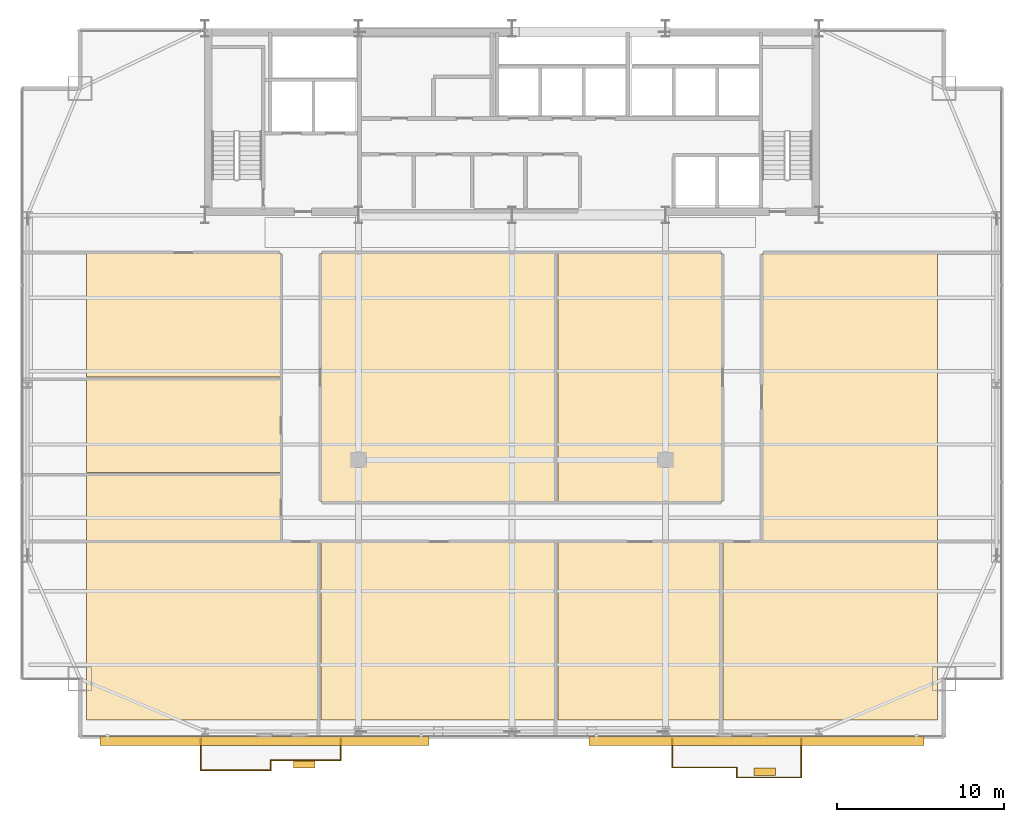
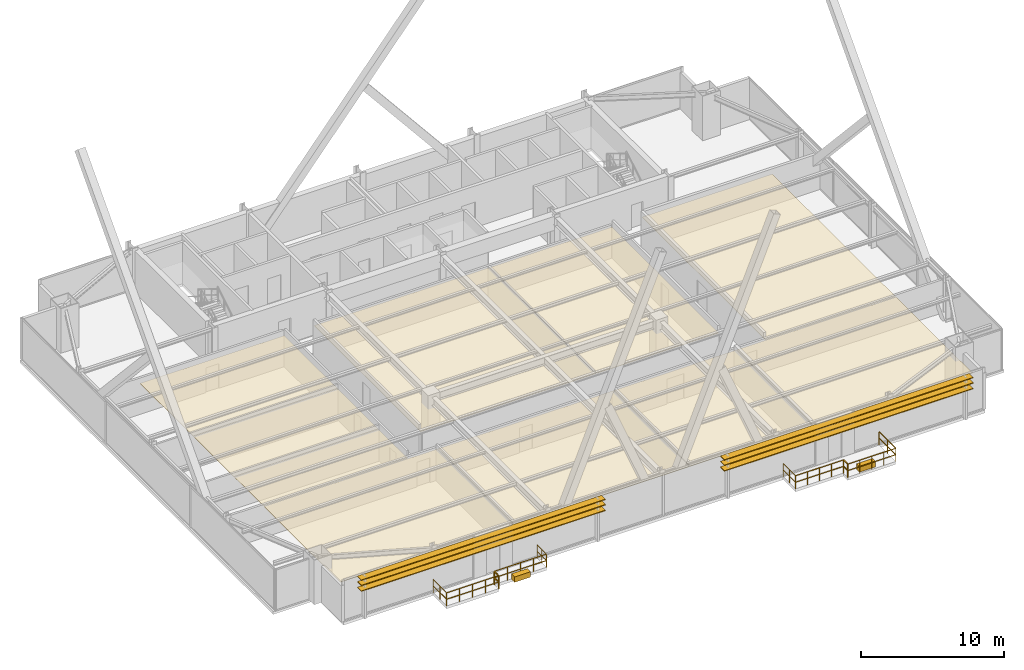
# One storey, part 37 of 38: 12 coverings, 10 railings, 6 shading devices.
"""IFC4 building model written with IfcOpenShell, lengths in metres."""

from ifc_helpers import new_model, si_unit, direction, frame, origin, origin_2d, place, context, subcontext, project, spatial, polyline, rectangle, outline, extrude, source, transform, mapped, material, layer, layer_set, type_object, type_shapes, element, save


model = new_model("IFC4")

# Units and contexts
model_context = context("Model", 3, precision=1e-05, world=origin(), true_north=direction((0.0, 1.0)))
body_context = subcontext(model_context, "Body", "Model", "MODEL_VIEW")
ifc_project = project(units=[si_unit("LENGTHUNIT", "METRE"), si_unit("AREAUNIT", "SQUARE_METRE"), si_unit("VOLUMEUNIT", "CUBIC_METRE"), si_unit("PLANEANGLEUNIT", "RADIAN"), si_unit("MASSUNIT", "GRAM", prefix="KILO")], contexts=[model_context])

# Site, building, storey
site_placement = place(None, origin())
site = spatial("IfcSite", under=ifc_project, at=site_placement, CompositionType="ELEMENT")
building_placement = place(site_placement, origin())
building = spatial("IfcBuilding", under=site, at=building_placement, Name="Varnel Quay Broadcast Tower", CompositionType="ELEMENT")
storey_placement = place(building_placement, frame((0.0, 0.0, 118.199951171875)))
storey = spatial("IfcBuildingStorey", under=building, at=storey_placement, Name="L28", CompositionType="ELEMENT", Elevation=118.199951171875)

# Coverings
ifc_material_1 = material(Name="Micro-Perforated Acoustic Ceiling Tile")
ifc_layer_1 = layer(ifc_material_1, 0.0400390625, Name="Micro-Perforated Acoustic Ceiling Tile")
ifc_layer_set_1 = layer_set([ifc_layer_1], Name="Micro-Perforated Acoustic Ceiling Tile")
covering_type_1 = type_object("IfcCoveringType", Name="Cov_AcousticCeiling", PredefinedType="CEILING", material=ifc_layer_set_1)
covering_1_placement = place(storey_placement, frame((0.0, 0.0, 2.580078125)))
element("IfcCovering", 1, at=covering_1_placement, inside=storey, type_object=covering_type_1, Name="L28 Press Briefing Room 1 Acoustic Ceiling", PredefinedType="CEILING", context=body_context, shape_type="SweptSolid", body=[
    extrude(outline(polyline([(8.485107421875, 5.324951171875), (22.47509765625, 5.324951171875), (22.47509765625, 15.985107421875), (8.485107421875, 15.985107421875), (8.485107421875, 5.324951171875)])), origin(), (0.0, 0.0, 1.0), 0.0400390625),
])
covering_2_placement = place(storey_placement, frame((0.0, 0.0, 2.580078125)))
element("IfcCovering", 2, at=covering_2_placement, inside=storey, type_object=covering_type_1, Name="L28 Editorial Huddle Room 2 Acoustic Ceiling", PredefinedType="CEILING", context=body_context, shape_type="SweptSolid", body=[
    extrude(outline(polyline([(22.544921875, 5.324951171875), (36.68505859375, 5.324951171875), (36.68505859375, 15.985107421875), (22.544921875, 15.985107421875), (22.544921875, 5.324951171875)])), origin(), (0.0, 0.0, 1.0), 0.0400390625),
])
covering_3_placement = place(storey_placement, frame((0.0, 0.0, 2.580078125)))
element("IfcCovering", 3, at=covering_3_placement, inside=storey, type_object=covering_type_1, Name="L28 Journalism Training Studio 3 Acoustic Ceiling", PredefinedType="CEILING", context=body_context, shape_type="SweptSolid", body=[
    extrude(outline(polyline([(36.7548828125, 5.324951171875), (46.594970703125, 5.324951171875), (46.594970703125, 15.985107421875), (36.7548828125, 15.985107421875), (36.7548828125, 5.324951171875)])), origin(), (0.0, 0.0, 1.0), 0.0400390625),
])
covering_4_placement = place(storey_placement, frame((0.0, 0.0, 2.580078125)))
element("IfcCovering", 4, at=covering_4_placement, inside=storey, type_object=covering_type_1, Name="L28 Catering Kitchen 4 Acoustic Ceiling", PredefinedType="CEILING", context=body_context, shape_type="SweptSolid", body=[
    extrude(outline(polyline([(46.6650390625, 5.324951171875), (59.514892578125, 5.324951171875), (59.514892578125, 15.985107421875), (46.6650390625, 15.985107421875), (46.6650390625, 5.324951171875)])), origin(), (0.0, 0.0, 1.0), 0.0400390625),
])
covering_5_placement = place(storey_placement, frame((0.0, 0.0, 2.580078125)))
element("IfcCovering", 5, at=covering_5_placement, inside=storey, type_object=covering_type_1, Name="L28 Bureau Office 5 Acoustic Ceiling", PredefinedType="CEILING", context=body_context, shape_type="SweptSolid", body=[
    extrude(outline(polyline([(8.485107421875, 16.054931640625), (20.125, 16.054931640625), (20.125, 20.10498046875), (8.485107421875, 20.10498046875), (8.485107421875, 16.054931640625)])), origin(), (0.0, 0.0, 1.0), 0.0400390625),
])
covering_6_placement = place(storey_placement, frame((0.0, 0.0, 2.580078125)))
element("IfcCovering", 6, at=covering_6_placement, inside=storey, type_object=covering_type_1, Name="L28 Reading Lounge 6 Acoustic Ceiling", PredefinedType="CEILING", context=body_context, shape_type="SweptSolid", body=[
    extrude(outline(polyline([(8.485107421875, 20.175048828125), (20.125, 20.175048828125), (20.125, 25.81494140625), (8.485107421875, 25.81494140625), (8.485107421875, 20.175048828125)])), origin(), (0.0, 0.0, 1.0), 0.0400390625),
])
covering_7_placement = place(storey_placement, frame((0.0, 0.0, 2.580078125)))
element("IfcCovering", 7, at=covering_7_placement, inside=storey, type_object=covering_type_1, Name="L28 Broadcast Seminar Room 7 Acoustic Ceiling", PredefinedType="CEILING", context=body_context, shape_type="SweptSolid", body=[
    extrude(outline(polyline([(8.485107421875, 25.885009765625), (20.125, 25.885009765625), (20.125, 33.31494140625), (8.485107421875, 33.31494140625), (8.485107421875, 25.885009765625)])), origin(), (0.0, 0.0, 1.0), 0.0400390625),
])
covering_8_placement = place(storey_placement, frame((0.0, 0.0, 2.580078125)))
element("IfcCovering", 8, at=covering_8_placement, inside=storey, type_object=covering_type_1, Name="L28 Press Briefing Room 8 Acoustic Ceiling", PredefinedType="CEILING", context=body_context, shape_type="SweptSolid", body=[
    extrude(outline(polyline([(22.544921875, 18.405029296875), (36.68505859375, 18.405029296875), (36.68505859375, 33.31494140625), (22.544921875, 33.31494140625), (22.544921875, 18.405029296875)])), origin(), (0.0, 0.0, 1.0), 0.0400390625),
])
covering_9_placement = place(storey_placement, frame((0.0, 0.0, 2.580078125)))
element("IfcCovering", 9, at=covering_9_placement, inside=storey, type_object=covering_type_1, Name="L28 Editorial Huddle Room 9 Acoustic Ceiling", PredefinedType="CEILING", context=body_context, shape_type="SweptSolid", body=[
    extrude(outline(polyline([(36.7548828125, 18.405029296875), (46.594970703125, 18.405029296875), (46.594970703125, 33.31494140625), (36.7548828125, 33.31494140625), (36.7548828125, 18.405029296875)])), origin(), (0.0, 0.0, 1.0), 0.0400390625),
])
covering_10_placement = place(storey_placement, frame((0.0, 0.0, 2.580078125)))
element("IfcCovering", 10, at=covering_10_placement, inside=storey, type_object=covering_type_1, Name="L28 Journalism Training Studio 10 Acoustic Ceiling", PredefinedType="CEILING", context=body_context, shape_type="SweptSolid", body=[
    extrude(outline(polyline([(49.014892578125, 16.054931640625), (59.514892578125, 16.054931640625), (59.514892578125, 33.31494140625), (49.014892578125, 33.31494140625), (49.014892578125, 16.054931640625)])), origin(), (0.0, 0.0, 1.0), 0.0400390625),
])

# Railings
ifc_material_2 = material(Name="Anodised Bronze Aluminium 6063-T6", Category="aluminium")
railing_type = type_object("IfcRailingType", Name="Rail_Balustrade1150", PredefinedType="BALUSTRADE", material=ifc_material_2)
railing_1_placement = place(storey_placement, frame((15.340087890625, 2.321044921875, 0.0)))
element("IfcRailing", 11, at=railing_1_placement, inside=storey, type_object=railing_type, Name="L28 Terrace 1 Guard 1", PredefinedType="BALUSTRADE", context=body_context, shape_type="SweptSolid", body=[
    extrude(rectangle(XDim=0.048095703125, YDim=0.048095703125, at=origin_2d()), frame((0.0, 0.0, 1.1259765625), z_axis=(1.0, 0.0, 0.0), x_axis=(0.0, 1.0, 0.0)), (0.0, 0.0, 1.0), 4.199951171875),
    extrude(rectangle(XDim=0.048095703125, YDim=0.048095703125, at=origin_2d()), frame((0.0, 0.0, 0.574951171875), z_axis=(1.0, 0.0, 0.0), x_axis=(0.0, 1.0, 0.0)), (0.0, 0.0, 1.0), 4.199951171875),
    extrude(rectangle(XDim=0.0419921875, YDim=0.0419921875, at=origin_2d()), origin(), (0.0, 0.0, 1.0), 1.101806640625),
    extrude(rectangle(XDim=0.0419921875, YDim=0.0419921875, at=origin_2d()), frame((1.050048828125, 0.0, 0.0)), (0.0, 0.0, 1.0), 1.101806640625),
    extrude(rectangle(XDim=0.0419921875, YDim=0.0419921875, at=origin_2d()), frame((2.10009765625, 0.0, 0.0)), (0.0, 0.0, 1.0), 1.101806640625),
    extrude(rectangle(XDim=0.0419921875, YDim=0.0419921875, at=origin_2d()), frame((3.14990234375, 0.0, 0.0)), (0.0, 0.0, 1.0), 1.101806640625),
    extrude(rectangle(XDim=0.0419921875, YDim=0.0419921875, at=origin_2d()), frame((4.199951171875, 0.0, 0.0)), (0.0, 0.0, 1.0), 1.101806640625),
])
railing_2_placement = place(storey_placement, frame((19.5400390625, 2.321044921875, 0.0)))
element("IfcRailing", 12, at=railing_2_placement, inside=storey, type_object=railing_type, Name="L28 Terrace 1 Guard 2", PredefinedType="BALUSTRADE", context=body_context, shape_type="SweptSolid", body=[
    extrude(rectangle(XDim=0.048095703125, YDim=0.048095703125, at=origin_2d()), frame((0.0, 0.0, 1.1259765625), z_axis=(0.0, 1.0, 0.0), x_axis=(-1.0, 0.0, 0.0)), (0.0, 0.0, 1.0), 0.599853515625),
    extrude(rectangle(XDim=0.048095703125, YDim=0.048095703125, at=origin_2d()), frame((0.0, 0.0, 0.574951171875), z_axis=(0.0, 1.0, 0.0), x_axis=(-1.0, 0.0, 0.0)), (0.0, 0.0, 1.0), 0.599853515625),
    extrude(rectangle(XDim=0.0419921875, YDim=0.0419921875, at=origin_2d()), origin(), (0.0, 0.0, 1.0), 1.101806640625),
    extrude(rectangle(XDim=0.0419921875, YDim=0.0419921875, at=origin_2d()), frame((0.0, 0.599853515625, 0.0)), (0.0, 0.0, 1.0), 1.101806640625),
])
railing_3_placement = place(storey_placement, frame((19.5400390625, 2.9208984375, 0.0)))
element("IfcRailing", 13, at=railing_3_placement, inside=storey, type_object=railing_type, Name="L28 Terrace 1 Guard 3", PredefinedType="BALUSTRADE", context=body_context, shape_type="SweptSolid", body=[
    extrude(rectangle(XDim=0.048095703125, YDim=0.048095703125, at=origin_2d()), frame((0.0, 0.0, 1.1259765625), z_axis=(1.0, 0.0, 0.0), x_axis=(0.0, 1.0, 0.0)), (0.0, 0.0, 1.0), 4.199951171875),
    extrude(rectangle(XDim=0.048095703125, YDim=0.048095703125, at=origin_2d()), frame((0.0, 0.0, 0.574951171875), z_axis=(1.0, 0.0, 0.0), x_axis=(0.0, 1.0, 0.0)), (0.0, 0.0, 1.0), 4.199951171875),
    extrude(rectangle(XDim=0.0419921875, YDim=0.0419921875, at=origin_2d()), origin(), (0.0, 0.0, 1.0), 1.101806640625),
    extrude(rectangle(XDim=0.0419921875, YDim=0.0419921875, at=origin_2d()), frame((1.050048828125, 0.0, 0.0)), (0.0, 0.0, 1.0), 1.101806640625),
    extrude(rectangle(XDim=0.0419921875, YDim=0.0419921875, at=origin_2d()), frame((2.10009765625, 0.0, 0.0)), (0.0, 0.0, 1.0), 1.101806640625),
    extrude(rectangle(XDim=0.0419921875, YDim=0.0419921875, at=origin_2d()), frame((3.14990234375, 0.0, 0.0)), (0.0, 0.0, 1.0), 1.101806640625),
    extrude(rectangle(XDim=0.0419921875, YDim=0.0419921875, at=origin_2d()), frame((4.199951171875, 0.0, 0.0)), (0.0, 0.0, 1.0), 1.101806640625),
])
railing_4_placement = place(storey_placement, frame((23.739990234375, 2.9208984375, 0.0)))
element("IfcRailing", 14, at=railing_4_placement, inside=storey, type_object=railing_type, Name="L28 Terrace 1 Guard 4", PredefinedType="BALUSTRADE", context=body_context, shape_type="SweptSolid", body=[
    extrude(rectangle(XDim=0.048095703125, YDim=0.048095703125, at=origin_2d()), frame((0.0, 0.0, 1.1259765625), z_axis=(0.0, 1.0, 0.0), x_axis=(-1.0, 0.0, 0.0)), (0.0, 0.0, 1.0), 1.279052734375),
    extrude(rectangle(XDim=0.048095703125, YDim=0.048095703125, at=origin_2d()), frame((0.0, 0.0, 0.574951171875), z_axis=(0.0, 1.0, 0.0), x_axis=(-1.0, 0.0, 0.0)), (0.0, 0.0, 1.0), 1.279052734375),
    extrude(rectangle(XDim=0.0419921875, YDim=0.0419921875, at=origin_2d()), origin(), (0.0, 0.0, 1.0), 1.101806640625),
    extrude(rectangle(XDim=0.0419921875, YDim=0.0419921875, at=origin_2d()), frame((0.0, 0.6396484375, 0.0)), (0.0, 0.0, 1.0), 1.101806640625),
    extrude(rectangle(XDim=0.0419921875, YDim=0.0419921875, at=origin_2d()), frame((0.0, 1.279052734375, 0.0)), (0.0, 0.0, 1.0), 1.101806640625),
])
railing_5_placement = place(storey_placement, frame((15.340087890625, 4.199951171875, 0.0)))
element("IfcRailing", 15, at=railing_5_placement, inside=storey, type_object=railing_type, Name="L28 Terrace 1 Guard 6", PredefinedType="BALUSTRADE", context=body_context, shape_type="SweptSolid", body=[
    extrude(rectangle(XDim=0.048095703125, YDim=0.048095703125, at=origin_2d()), frame((0.0, 0.0, 1.1259765625), z_axis=(0.0, -1.0, 0.0), x_axis=(1.0, 0.0, 0.0)), (0.0, 0.0, 1.0), 1.87890625),
    extrude(rectangle(XDim=0.048095703125, YDim=0.048095703125, at=origin_2d()), frame((0.0, 0.0, 0.574951171875), z_axis=(0.0, -1.0, 0.0), x_axis=(1.0, 0.0, 0.0)), (0.0, 0.0, 1.0), 1.87890625),
    extrude(rectangle(XDim=0.0419921875, YDim=0.0419921875, at=origin_2d()), origin(), (0.0, 0.0, 1.0), 1.101806640625),
    extrude(rectangle(XDim=0.0419921875, YDim=0.0419921875, at=origin_2d()), frame((0.0, -0.939453125, 0.0)), (0.0, 0.0, 1.0), 1.101806640625),
    extrude(rectangle(XDim=0.0419921875, YDim=0.0419921875, at=origin_2d()), frame((0.0, -1.87890625, 0.0)), (0.0, 0.0, 1.0), 1.101806640625),
])
railing_6_placement = place(storey_placement, frame((43.60009765625, 2.47900390625, 0.0)))
element("IfcRailing", 16, at=railing_6_placement, inside=storey, type_object=railing_type, Name="L28 Terrace 2 Guard 1", PredefinedType="BALUSTRADE", context=body_context, shape_type="SweptSolid", body=[
    extrude(rectangle(XDim=0.048095703125, YDim=0.048095703125, at=origin_2d()), frame((0.0, 0.0, 1.1259765625), z_axis=(1.0, 0.0, 0.0), x_axis=(0.0, 1.0, 0.0)), (0.0, 0.0, 1.0), 3.869873046875),
    extrude(rectangle(XDim=0.048095703125, YDim=0.048095703125, at=origin_2d()), frame((0.0, 0.0, 0.574951171875), z_axis=(1.0, 0.0, 0.0), x_axis=(0.0, 1.0, 0.0)), (0.0, 0.0, 1.0), 3.869873046875),
    extrude(rectangle(XDim=0.0419921875, YDim=0.0419921875, at=origin_2d()), origin(), (0.0, 0.0, 1.0), 1.101806640625),
    extrude(rectangle(XDim=0.0419921875, YDim=0.0419921875, at=origin_2d()), frame((0.967529296875, 0.0, 0.0)), (0.0, 0.0, 1.0), 1.101806640625),
    extrude(rectangle(XDim=0.0419921875, YDim=0.0419921875, at=origin_2d()), frame((1.93505859375, 0.0, 0.0)), (0.0, 0.0, 1.0), 1.101806640625),
    extrude(rectangle(XDim=0.0419921875, YDim=0.0419921875, at=origin_2d()), frame((2.90234375, 0.0, 0.0)), (0.0, 0.0, 1.0), 1.101806640625),
    extrude(rectangle(XDim=0.0419921875, YDim=0.0419921875, at=origin_2d()), frame((3.869873046875, 0.0, 0.0)), (0.0, 0.0, 1.0), 1.101806640625),
])
railing_7_placement = place(storey_placement, frame((47.469970703125, 2.47900390625, 0.0)))
element("IfcRailing", 17, at=railing_7_placement, inside=storey, type_object=railing_type, Name="L28 Terrace 2 Guard 2", PredefinedType="BALUSTRADE", context=body_context, shape_type="SweptSolid", body=[
    extrude(rectangle(XDim=0.048095703125, YDim=0.048095703125, at=origin_2d()), frame((0.0, 0.0, 1.1259765625), z_axis=(0.0, -1.0, 0.0), x_axis=(1.0, 0.0, 0.0)), (0.0, 0.0, 1.0), 0.60009765625),
    extrude(rectangle(XDim=0.048095703125, YDim=0.048095703125, at=origin_2d()), frame((0.0, 0.0, 0.574951171875), z_axis=(0.0, -1.0, 0.0), x_axis=(1.0, 0.0, 0.0)), (0.0, 0.0, 1.0), 0.60009765625),
    extrude(rectangle(XDim=0.0419921875, YDim=0.0419921875, at=origin_2d()), origin(), (0.0, 0.0, 1.0), 1.101806640625),
    extrude(rectangle(XDim=0.0419921875, YDim=0.0419921875, at=origin_2d()), frame((0.0, -0.60009765625, 0.0)), (0.0, 0.0, 1.0), 1.101806640625),
])
railing_8_placement = place(storey_placement, frame((47.469970703125, 1.87890625, 0.0)))
element("IfcRailing", 18, at=railing_8_placement, inside=storey, type_object=railing_type, Name="L28 Terrace 2 Guard 3", PredefinedType="BALUSTRADE", context=body_context, shape_type="SweptSolid", body=[
    extrude(rectangle(XDim=0.048095703125, YDim=0.048095703125, at=origin_2d()), frame((0.0, 0.0, 1.1259765625), z_axis=(1.0, 0.0, 0.0), x_axis=(0.0, 1.0, 0.0)), (0.0, 0.0, 1.0), 3.8701171875),
    extrude(rectangle(XDim=0.048095703125, YDim=0.048095703125, at=origin_2d()), frame((0.0, 0.0, 0.574951171875), z_axis=(1.0, 0.0, 0.0), x_axis=(0.0, 1.0, 0.0)), (0.0, 0.0, 1.0), 3.8701171875),
    extrude(rectangle(XDim=0.0419921875, YDim=0.0419921875, at=origin_2d()), origin(), (0.0, 0.0, 1.0), 1.101806640625),
    extrude(rectangle(XDim=0.0419921875, YDim=0.0419921875, at=origin_2d()), frame((0.967529296875, 0.0, 0.0)), (0.0, 0.0, 1.0), 1.101806640625),
    extrude(rectangle(XDim=0.0419921875, YDim=0.0419921875, at=origin_2d()), frame((1.93505859375, 0.0, 0.0)), (0.0, 0.0, 1.0), 1.101806640625),
    extrude(rectangle(XDim=0.0419921875, YDim=0.0419921875, at=origin_2d()), frame((2.902587890625, 0.0, 0.0)), (0.0, 0.0, 1.0), 1.101806640625),
    extrude(rectangle(XDim=0.0419921875, YDim=0.0419921875, at=origin_2d()), frame((3.8701171875, 0.0, 0.0)), (0.0, 0.0, 1.0), 1.101806640625),
])
railing_9_placement = place(storey_placement, frame((51.340087890625, 1.87890625, 0.0)))
element("IfcRailing", 19, at=railing_9_placement, inside=storey, type_object=railing_type, Name="L28 Terrace 2 Guard 4", PredefinedType="BALUSTRADE", context=body_context, shape_type="SweptSolid", body=[
    extrude(rectangle(XDim=0.048095703125, YDim=0.048095703125, at=origin_2d()), frame((0.0, 0.0, 1.1259765625), z_axis=(0.0, 1.0, 0.0), x_axis=(-1.0, 0.0, 0.0)), (0.0, 0.0, 1.0), 2.321044921875),
    extrude(rectangle(XDim=0.048095703125, YDim=0.048095703125, at=origin_2d()), frame((0.0, 0.0, 0.574951171875), z_axis=(0.0, 1.0, 0.0), x_axis=(-1.0, 0.0, 0.0)), (0.0, 0.0, 1.0), 2.321044921875),
    extrude(rectangle(XDim=0.0419921875, YDim=0.0419921875, at=origin_2d()), origin(), (0.0, 0.0, 1.0), 1.101806640625),
    extrude(rectangle(XDim=0.0419921875, YDim=0.0419921875, at=origin_2d()), frame((0.0, 1.16064453125, 0.0)), (0.0, 0.0, 1.0), 1.101806640625),
    extrude(rectangle(XDim=0.0419921875, YDim=0.0419921875, at=origin_2d()), frame((0.0, 2.321044921875, 0.0)), (0.0, 0.0, 1.0), 1.101806640625),
])
railing_10_placement = place(storey_placement, frame((43.60009765625, 4.199951171875, 0.0)))
element("IfcRailing", 20, at=railing_10_placement, inside=storey, type_object=railing_type, Name="L28 Terrace 2 Guard 6", PredefinedType="BALUSTRADE", context=body_context, shape_type="SweptSolid", body=[
    extrude(rectangle(XDim=0.048095703125, YDim=0.048095703125, at=origin_2d()), frame((0.0, 0.0, 1.1259765625), z_axis=(0.0, -1.0, 0.0), x_axis=(1.0, 0.0, 0.0)), (0.0, 0.0, 1.0), 1.720947265625),
    extrude(rectangle(XDim=0.048095703125, YDim=0.048095703125, at=origin_2d()), frame((0.0, 0.0, 0.574951171875), z_axis=(0.0, -1.0, 0.0), x_axis=(1.0, 0.0, 0.0)), (0.0, 0.0, 1.0), 1.720947265625),
    extrude(rectangle(XDim=0.0419921875, YDim=0.0419921875, at=origin_2d()), origin(), (0.0, 0.0, 1.0), 1.101806640625),
    extrude(rectangle(XDim=0.0419921875, YDim=0.0419921875, at=origin_2d()), frame((0.0, -0.8603515625, 0.0)), (0.0, 0.0, 1.0), 1.101806640625),
    extrude(rectangle(XDim=0.0419921875, YDim=0.0419921875, at=origin_2d()), frame((0.0, -1.720947265625, 0.0)), (0.0, 0.0, 1.0), 1.101806640625),
])

# Coverings
ifc_material_3 = material(Name="Bronze-Terracotta Extruded Ceramic Blade", Category="masonry")
ifc_layer_2 = layer(ifc_material_3, 0.449951171875, Name="Bronze-Terracotta Extruded Ceramic Blade")
ifc_layer_set_2 = layer_set([ifc_layer_2], Name="Bronze-Terracotta Extruded Ceramic Blade")
covering_type_2 = type_object("IfcCoveringType", Name="Cov_BronzePlanter", PredefinedType="CLADDING", material=ifc_layer_set_2)
shared_shape_1 = source(origin(), body_context, "Body", "SweptSolid", [
    extrude(rectangle(XDim=1.300048828125, YDim=0.449951171875, at=origin_2d()), origin(), (0.0, 0.0, 1.0), 0.449951171875),
])
type_shapes(covering_type_2, [shared_shape_1])
for number, where, z_axis, x_axis, name in (
    (21, (21.550048828125, 2.6708984375, 0.0), (0.0, 0.0, 1.0), (1.0, 0.0, 0.0), "L28 Terrace 1 Bronze Planter"),
    (22, (49.14990234375, 2.22900390625, 0.0), (0.0, 0.0, 1.0), (1.0, 0.0, 0.0), "L28 Terrace 2 Bronze Planter"),
):
    element("IfcCovering", number, at=place(storey_placement, frame(where, z_axis=z_axis, x_axis=x_axis)), inside=storey, type_object=covering_type_2, Name=name, PredefinedType="CLADDING", context=body_context, shape_type="MappedRepresentation", body=[
        mapped(shared_shape_1, transform((0.0, 0.0, 0.0), x_axis=(1.0, 0.0, 0.0), y_axis=(0.0, 1.0, 0.0), z_axis=(0.0, 0.0, 1.0), scale=1.0)),
    ])

# Shading devices
ifc_layer_3 = layer(ifc_material_3, 0.06494140625, Name="Bronze-Terracotta Extruded Ceramic Blade")
ifc_layer_set_3 = layer_set([ifc_layer_3], Name="Bronze-Terracotta Extruded Ceramic Blade")
shading_device_type = type_object("IfcShadingDeviceType", Name="Shade_LouvreBlade550", PredefinedType="JALOUSIE", material=ifc_layer_set_3)
shared_shape_2 = source(origin(), body_context, "Body", "SweptSolid", [
    extrude(rectangle(XDim=20.0869140625, YDim=0.550048828125, at=origin_2d()), origin(), (0.0, 0.0, 1.0), 0.06494140625),
])
for number, where, z_axis, x_axis, name in (
    (23, (48.656982421875, 4.06005859375, 2.447509765625), (0.0, 0.0, 1.0), (1.0, 0.0, 0.0), "L28 Lobe 2 Horizontal Louvre Blade 1"),
    (24, (48.656982421875, 4.06005859375, 2.927490234375), (0.0, 0.0, 1.0), (1.0, 0.0, 0.0), "L28 Lobe 2 Horizontal Louvre Blade 2"),
    (25, (48.656982421875, 4.06005859375, 3.3876953125), (0.0, 0.0, 1.0), (1.0, 0.0, 0.0), "L28 Lobe 2 Horizontal Louvre Blade 3"),
):
    element("IfcShadingDevice", number, at=place(storey_placement, frame(where, z_axis=z_axis, x_axis=x_axis)), inside=storey, type_object=shading_device_type, Name=name, PredefinedType="JALOUSIE", context=body_context, shape_type="MappedRepresentation", body=[
        mapped(shared_shape_2, transform((0.0, 0.0, 0.0), x_axis=(1.0, 0.0, 0.0), y_axis=(0.0, 1.0, 0.0), z_axis=(0.0, 0.0, 1.0), scale=1.0)),
    ])
shared_shape_3 = source(origin(), body_context, "Body", "SweptSolid", [
    extrude(rectangle(XDim=19.712890625, YDim=0.550048828125, at=origin_2d()), origin(), (0.0, 0.0, 1.0), 0.06494140625),
])
type_shapes(shading_device_type, [shared_shape_2, shared_shape_3])
for number, where, z_axis, x_axis, name in (
    (26, (19.156982421875, 4.06005859375, 2.447509765625), (0.0, 0.0, 1.0), (1.0, 0.0, 0.0), "L28 Lobe 1 Horizontal Louvre Blade 1"),
    (27, (19.156982421875, 4.06005859375, 2.927490234375), (0.0, 0.0, 1.0), (1.0, 0.0, 0.0), "L28 Lobe 1 Horizontal Louvre Blade 2"),
    (28, (19.156982421875, 4.06005859375, 3.3876953125), (0.0, 0.0, 1.0), (1.0, 0.0, 0.0), "L28 Lobe 1 Horizontal Louvre Blade 3"),
):
    element("IfcShadingDevice", number, at=place(storey_placement, frame(where, z_axis=z_axis, x_axis=x_axis)), inside=storey, type_object=shading_device_type, Name=name, PredefinedType="JALOUSIE", context=body_context, shape_type="MappedRepresentation", body=[
        mapped(shared_shape_3, transform((0.0, 0.0, 0.0), x_axis=(1.0, 0.0, 0.0), y_axis=(0.0, 1.0, 0.0), z_axis=(0.0, 0.0, 1.0), scale=1.0)),
    ])

save(model, "model.ifc")
